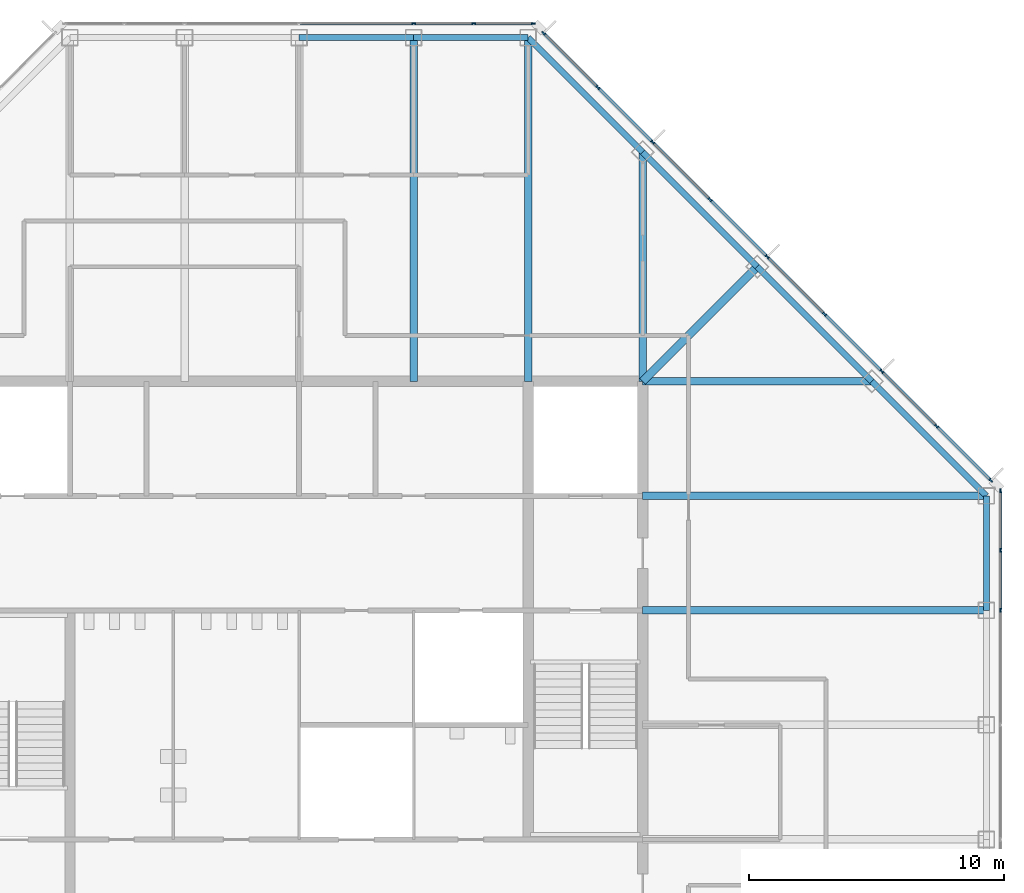
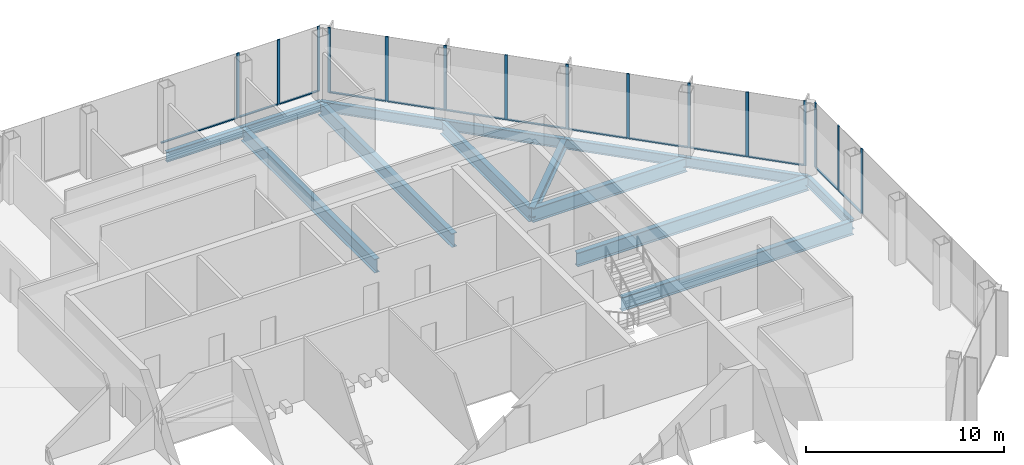
# One storey, part 7 of 14: 28 members, 14 beams, 3 elements without a shape of their own.
"""IFC4 building model written with IfcOpenShell, lengths in metres."""

import ifcopenshell
import ifcopenshell.guid

model = None  # the IFC model being written
_history = None  # IfcOwnerHistory: only IFC2X3 demands one
_inside = {}  # id of a spatial element -> (the spatial element, [elements in it])
_under = {}  # id of a project, library or spatial element -> (it, [spatial elements below it])
_declared = {}  # id of a project -> (the project, [libraries it declares])
_typed = {}  # id of a type object -> (the type object, [elements of that type])
_made_of = {}  # id of a material, layer set ... -> (it, [elements and type objects made of it])


def new_model(schema):
    """Start an empty IFC model of exactly this schema.

    Asked for "IFC4X3", IfcOpenShell would pick the latest addendum, in which some entities
    have other attributes; the version numbers below select the first issue.
    IFC2X3 requires an IfcOwnerHistory on every rooted entity: one is made here for all.
    """
    global model, _history
    if schema == "IFC4X3":
        model = ifcopenshell.file(schema_version=(4, 3, 0, 0))
    else:
        model = ifcopenshell.file(schema=schema)
    _inside.clear()
    _under.clear()
    _declared.clear()
    _typed.clear()
    _made_of.clear()
    _history = None
    if model.schema == "IFC2X3":
        org = make("IfcOrganization", Name="unknown")
        user = make(
            "IfcPersonAndOrganization",
            ThePerson=make("IfcPerson", FamilyName="unknown"),
            TheOrganization=org,
        )
        app = make(
            "IfcApplication",
            ApplicationDeveloper=org,
            Version="unknown",
            ApplicationFullName="unknown",
            ApplicationIdentifier="unknown",
        )
        _history = make(
            "IfcOwnerHistory",
            OwningUser=user,
            OwningApplication=app,
            ChangeAction="ADDED",
            CreationDate=0,
        )
    return model


def make(cls, **values):
    """One entity of the class cls with the attributes given. An attribute that is None is left unset."""
    return model.create_entity(
        cls, **{name: value for name, value in values.items() if value is not None}
    )


def rooted(cls, **values):
    """An entity with a GlobalId (a new one), such as an element, a storey or a relation."""
    return make(cls, GlobalId=ifcopenshell.guid.new(), OwnerHistory=_history, **values)


def si_unit(unit_type, name, prefix=None):
    """IfcSIUnit, for example si_unit("LENGTHUNIT", "METRE", prefix="MILLI")."""
    return make("IfcSIUnit", UnitType=unit_type, Prefix=prefix, Name=name)


def assignment(units):
    """IfcUnitAssignment: the units of a project."""
    return None if units is None else make("IfcUnitAssignment", Units=units)


def point(xyz):
    """IfcCartesianPoint."""
    return None if xyz is None else make("IfcCartesianPoint", Coordinates=xyz)


def direction(xyz):
    """IfcDirection."""
    return None if xyz is None else make("IfcDirection", DirectionRatios=xyz)


def frame(location, z_axis=None, x_axis=None):
    """IfcAxis2Placement3D, a coordinate frame: its origin and axes. An axis left out is left unset."""
    return make(
        "IfcAxis2Placement3D",
        Location=point(location),
        Axis=direction(z_axis),
        RefDirection=direction(x_axis),
    )


def frame_2d(location, x_axis=None):
    """IfcAxis2Placement2D, a coordinate frame in the plane: its origin and x axis."""
    return make(
        "IfcAxis2Placement2D", Location=point(location), RefDirection=direction(x_axis)
    )


def origin():
    """The frame at (0, 0, 0) with its axes left unset."""
    return frame((0.0, 0.0, 0.0))


def origin_2d():
    """The frame at (0, 0) in the plane with its x axis left unset."""
    return frame_2d((0.0, 0.0))


def place(relative_to, where):
    """IfcLocalPlacement: puts the frame where relative to a parent placement (None: the world)."""
    return make(
        "IfcLocalPlacement", PlacementRelTo=relative_to, RelativePlacement=where
    )


def context(
    kind, dimensions, precision=None, world=None, true_north=None, identifier=None
):
    """IfcGeometricRepresentationContext, for example the 3D "Model" context."""
    return make(
        "IfcGeometricRepresentationContext",
        ContextIdentifier=identifier,
        ContextType=kind,
        CoordinateSpaceDimension=dimensions,
        Precision=precision,
        WorldCoordinateSystem=world,
        TrueNorth=true_north,
    )


def subcontext(parent, identifier, kind, view, scale=None):
    """IfcGeometricRepresentationSubContext, for example "Body" below "Model"."""
    return make(
        "IfcGeometricRepresentationSubContext",
        ContextIdentifier=identifier,
        ContextType=kind,
        ParentContext=parent,
        TargetScale=scale,
        TargetView=view,
    )


def project(units=None, contexts=None):
    """IfcProject with its units and contexts."""
    return rooted(
        "IfcProject",
        Name="project",
        RepresentationContexts=contexts,
        UnitsInContext=assignment(units),
    )


def spatial(cls, under=None, at=None, **own):
    """A site, building, storey or space (cls), placed at a placement, below another one or the project."""
    s = rooted(cls, ObjectPlacement=at, **own)
    if under is not None:
        _under.setdefault(under.id(), (under, []))[1].append(s)
    return s


def profile(cls, at=None, kind="AREA", **sizes):
    """A parametric profile (cls). Its sizes go by their IFC names, for example OverallWidth=200.0."""
    return make(cls, ProfileType=kind, Position=at, **sizes)


def rectangle(**sizes):
    """IfcRectangleProfileDef."""
    return profile("IfcRectangleProfileDef", **sizes)


def i_section(**sizes):
    """IfcIShapeProfileDef."""
    return profile("IfcIShapeProfileDef", **sizes)


def extrude(swept, where, along, depth):
    """IfcExtrudedAreaSolid: the profile swept, set in the frame where, extruded along a direction by depth."""
    return make(
        "IfcExtrudedAreaSolid",
        SweptArea=swept,
        Position=where,
        ExtrudedDirection=direction(along),
        Depth=depth,
    )


def shape(context_of_items, identifier, shape_type, items):
    """IfcShapeRepresentation: the items that make up one representation, for example the "Body"."""
    return make(
        "IfcShapeRepresentation",
        ContextOfItems=context_of_items,
        RepresentationIdentifier=identifier,
        RepresentationType=shape_type,
        Items=items,
    )


def material(Name=None, Category=None):
    """IfcMaterial."""
    return make("IfcMaterial", Name=Name, Category=Category)


def material_profile(
    of_material, cross_section, Name=None, Category=None, Priority=None
):
    """IfcMaterialProfile: a cross section and its material."""
    return make(
        "IfcMaterialProfile",
        Name=Name,
        Material=of_material,
        Profile=cross_section,
        Priority=Priority,
        Category=Category,
    )


def profile_set(profiles, Name=None, composite=None):
    """IfcMaterialProfileSet."""
    return make(
        "IfcMaterialProfileSet",
        Name=Name,
        MaterialProfiles=profiles,
        CompositeProfile=composite,
    )


def made_of(thing, what):
    """Note that an element or type object is made of a material, layer set ...; save() writes the relation."""
    if what is not None:
        _made_of.setdefault(what.id(), (what, []))[1].append(thing)
    return thing


def type_object(cls, material=None, **own):
    """A type object (cls), such as IfcWallType, which elements share."""
    return made_of(rooted(cls, **own), material)


def element(
    cls,
    number,
    at=None,
    inside=None,
    cuts=None,
    type_object=None,
    material=None,
    context=None,
    identifier="Body",
    shape_type=None,
    held_by="IfcProductDefinitionShape",
    body=None,
    shapes=None,
    **own,
):
    """One element of the class cls, such as IfcWall. Its Tag is "e" and its number.

    at: its placement. inside: the storey or other place that contains it. cuts: it is an
    opening in that element (IfcRelVoidsElement). A single representation is given by context,
    identifier, shape_type and body (its items); several are given by shapes. held_by: the class
    of the entity that holds the representations. save() writes the other relations.
    """
    e = rooted(cls, Tag="e%d" % number, ObjectPlacement=at, **own)
    if body is not None:
        shapes = [shape(context, identifier, shape_type, body)]
    if shapes is not None:
        e.Representation = make(held_by, Representations=shapes)
    if inside is not None:
        _inside.setdefault(inside.id(), (inside, []))[1].append(e)
    if cuts is not None:
        rooted(
            "IfcRelVoidsElement", RelatingBuildingElement=cuts, RelatedOpeningElement=e
        )
    if type_object is not None:
        _typed.setdefault(type_object.id(), (type_object, []))[1].append(e)
    return made_of(e, material)


def aggregate(whole, parts):
    """IfcRelAggregates: a whole, such as a stair, and the parts it consists of."""
    return rooted("IfcRelAggregates", RelatingObject=whole, RelatedObjects=parts)


def save(model, path):
    """Write the relations noted so far, then the file.

    IfcRelAggregates (storeys below a building ...), IfcRelContainedInSpatialStructure (elements
    in a storey), IfcRelDefinesByType, IfcRelAssociatesMaterial and IfcRelDeclares: one each for
    every whole, place, type object, material and project.
    """
    for whole, parts in _under.values():
        aggregate(whole, parts)
    for where, things in _inside.values():
        rooted(
            "IfcRelContainedInSpatialStructure",
            RelatedElements=things,
            RelatingStructure=where,
        )
    for kind, things in _typed.values():
        rooted("IfcRelDefinesByType", RelatedObjects=things, RelatingType=kind)
    for what, things in _made_of.values():
        rooted("IfcRelAssociatesMaterial", RelatedObjects=things, RelatingMaterial=what)
    for by, libraries in _declared.values():
        rooted("IfcRelDeclares", RelatingContext=by, RelatedDefinitions=libraries)
    model.write(path)


model = new_model("IFC4")

# Units and contexts
model_context = context("Model", 3, precision=1e-05, world=origin(), true_north=direction((0.0, 1.0)))
body_context = subcontext(model_context, "Body", "Model", "MODEL_VIEW")
ifc_project = project(units=[si_unit("LENGTHUNIT", "METRE"), si_unit("AREAUNIT", "SQUARE_METRE"), si_unit("VOLUMEUNIT", "CUBIC_METRE"), si_unit("PLANEANGLEUNIT", "RADIAN"), si_unit("MASSUNIT", "GRAM", prefix="KILO")], contexts=[model_context])

# Site, building, storey
site_placement = place(None, origin())
site = spatial("IfcSite", under=ifc_project, at=site_placement, CompositionType="ELEMENT")
building_placement = place(site_placement, origin())
building = spatial("IfcBuilding", under=site, at=building_placement, Name="Corais Broadcast Tower", CompositionType="ELEMENT")
storey_placement = place(building_placement, frame((0.0, 0.0, 250.60009765625)))
storey = spatial("IfcBuildingStorey", under=building, at=storey_placement, Name="L58", CompositionType="ELEMENT", Elevation=250.60009765625)

# Beams
ifc_material_1 = material(Name="Steel ASTM A572 Grade 50", Category="steel")
ifc_material_profile_1 = material_profile(ifc_material_1, i_section(OverallWidth=0.323974609375, OverallDepth=0.611083984375, WebThickness=0.0126953125, FlangeThickness=0.01904296875, at=origin_2d()), Name="W610x155")
ifc_profile_set_1 = profile_set([ifc_material_profile_1], Name="Steel ASTM A572 Grade 50")
beam_type_1 = type_object("IfcBeamType", Name="Corner diagonal W610x155", PredefinedType="BEAM", material=ifc_profile_set_1)
beam_1_placement = place(storey_placement, frame((45.0, 45.0, -0.465576171875), z_axis=(-0.707106781187, -0.707106781187, 0.0), x_axis=(0.707106781187, -0.707106781187, 0.0)))
element("IfcBeam", 1, at=beam_1_placement, inside=storey, type_object=beam_type_1, Name="B6 L/13 to K/12", PredefinedType="BEAM", context=body_context, shape_type="SweptSolid", body=[
    extrude(i_section(OverallWidth=0.323974609375, OverallDepth=0.611083984375, WebThickness=0.0126953125, FlangeThickness=0.01904296875, at=origin_2d()), origin(), (0.0, 0.0, 1.0), 6.364013671875),
])
ifc_material_2 = material(Name="Steel ASTM A572 Grade 50", Category="steel")
ifc_material_profile_2 = material_profile(ifc_material_2, i_section(OverallWidth=0.2939453125, OverallDepth=0.85107421875, WebThickness=0.01611328125, FlangeThickness=0.02685546875, at=origin_2d()), Name="W840x226")
ifc_profile_set_2 = profile_set([ifc_material_profile_2], Name="Steel ASTM A572 Grade 50")
beam_type_2 = type_object("IfcBeamType", Name="Floor beam W840x226", PredefinedType="BEAM", material=ifc_profile_set_2)
for number, where, z_axis, x_axis, name in (
    (2, (31.5, 54.0, -0.585693359375), (0.0, -1.0, 0.0), (1.0, 0.0, 0.0), "B1 N/10 to K/10"),
    (3, (36.0, 54.0, -0.585693359375), (0.0, -1.0, 0.0), (1.0, 0.0, 0.0), "B1 N/11 to K/11"),
):
    element("IfcBeam", number, at=place(storey_placement, frame(where, z_axis=z_axis, x_axis=x_axis)), inside=storey, type_object=beam_type_2, Name=name, PredefinedType="BEAM", context=body_context, shape_type="SweptSolid", body=[
        extrude(i_section(OverallWidth=0.2939453125, OverallDepth=0.85107421875, WebThickness=0.01611328125, FlangeThickness=0.02685546875, at=origin_2d()), origin(), (0.0, 0.0, 1.0), 13.5),
    ])
for number, where, z_axis, x_axis, name in (
    (4, (40.5, 49.5, -0.585693359375), (0.0, -1.0, 0.0), (1.0, 0.0, 0.0), "B1 M/12 to K/12"),
    (5, (49.5, 40.5, -0.585693359375), (-1.0, 0.0, 0.0), (0.0, -1.0, 0.0), "B1 K/14 to K/12"),
):
    element("IfcBeam", number, at=place(storey_placement, frame(where, z_axis=z_axis, x_axis=x_axis)), inside=storey, type_object=beam_type_2, Name=name, PredefinedType="BEAM", context=body_context, shape_type="SweptSolid", body=[
        extrude(i_section(OverallWidth=0.2939453125, OverallDepth=0.85107421875, WebThickness=0.01611328125, FlangeThickness=0.02685546875, at=origin_2d()), origin(), (0.0, 0.0, 1.0), 9.0),
    ])
for number, where, z_axis, x_axis, name in (
    (6, (54.0, 31.5, -0.585693359375), (-1.0, 0.0, 0.0), (0.0, -1.0, 0.0), "B1 H/15 to H/12"),
    (7, (54.0, 36.0, -0.585693359375), (-1.0, 0.0, 0.0), (0.0, -1.0, 0.0), "B1 J/15 to J/12"),
):
    element("IfcBeam", number, at=place(storey_placement, frame(where, z_axis=z_axis, x_axis=x_axis)), inside=storey, type_object=beam_type_2, Name=name, PredefinedType="BEAM", context=body_context, shape_type="SweptSolid", body=[
        extrude(i_section(OverallWidth=0.2939453125, OverallDepth=0.85107421875, WebThickness=0.01611328125, FlangeThickness=0.02685546875, at=origin_2d()), origin(), (0.0, 0.0, 1.0), 13.5),
    ])

# Curtain wall, members
ifc_material_3 = material(Name="Aluminium and glass", Category="aluminium")
curtain_wall_type = type_object("IfcCurtainWallType", Name="Unitised fritted curtain wall CW3", PredefinedType="NOTDEFINED", material=ifc_material_3)
curtain_wall_1_placement = place(storey_placement, origin())
curtain_wall_1 = element("IfcCurtainWall", 8, at=curtain_wall_1_placement, inside=storey, type_object=curtain_wall_type, Name="CW3 curtain wall L58 4", PredefinedType="NOTDEFINED")
ifc_material_4 = material(Name="Aluminium 6063-T6", Category="aluminium")
ifc_material_profile_3 = material_profile(ifc_material_4, rectangle(XDim=0.06494140625, YDim=0.159912109375, at=origin_2d()), Name="Mullion CW3 65x160")
ifc_profile_set_3 = profile_set([ifc_material_profile_3], Name="Aluminium 6063-T6")
member_type_1 = type_object("IfcMemberType", Name="Mullion CW3 65x160", PredefinedType="MULLION", material=ifc_profile_set_3)
member_1_placement = place(storey_placement, frame((31.5, 54.550048828125, 0.0), z_axis=(0.0, 0.0, 1.0), x_axis=(0.0, 1.0, 0.0)))
member_1 = element("IfcMember", 9, at=member_1_placement, type_object=member_type_1, Name="CW3 mullion 5", PredefinedType="MULLION", context=body_context, shape_type="SweptSolid", body=[
    extrude(rectangle(XDim=0.06494140625, YDim=0.159912109375, at=origin_2d()), origin(), (0.0, 0.0, 1.0), 4.0),
])
member_2_placement = place(storey_placement, frame((33.864013671875, 54.550048828125, 0.0), z_axis=(0.0, 0.0, 1.0), x_axis=(0.0, 1.0, 0.0)))
member_2 = element("IfcMember", 10, at=member_2_placement, type_object=member_type_1, Name="CW3 mullion 6", PredefinedType="MULLION", context=body_context, shape_type="SweptSolid", body=[
    extrude(rectangle(XDim=0.06494140625, YDim=0.159912109375, at=origin_2d()), origin(), (0.0, 0.0, 1.0), 4.0),
])
member_3_placement = place(storey_placement, frame((36.1953125, 54.550048828125, 0.0), z_axis=(0.0, 0.0, 1.0), x_axis=(0.0, 1.0, 0.0)))
member_3 = element("IfcMember", 11, at=member_3_placement, type_object=member_type_1, Name="CW3 mullion 7", PredefinedType="MULLION", context=body_context, shape_type="SweptSolid", body=[
    extrude(rectangle(XDim=0.06494140625, YDim=0.159912109375, at=origin_2d()), origin(), (0.0, 0.0, 1.0), 4.0),
])

curtain_wall_2_placement = place(storey_placement, origin())
curtain_wall_2 = element("IfcCurtainWall", 12, at=curtain_wall_2_placement, inside=storey, type_object=curtain_wall_type, Name="CW3 curtain wall L58 5", PredefinedType="NOTDEFINED")
member_4_placement = place(storey_placement, frame((36.6044921875, 54.17333984375, 0.0), z_axis=(0.0, 0.0, 1.0), x_axis=(0.707106781187, 0.707106781187, 0.0)))
member_4 = element("IfcMember", 13, at=member_4_placement, type_object=member_type_1, Name="CW3 mullion 1", PredefinedType="MULLION", context=body_context, shape_type="SweptSolid", body=[
    extrude(rectangle(XDim=0.06494140625, YDim=0.159912109375, at=origin_2d()), origin(), (0.0, 0.0, 1.0), 4.0),
])
member_5_placement = place(storey_placement, frame((38.735107421875, 52.042724609375, 0.0), z_axis=(0.0, 0.0, 1.0), x_axis=(0.707106781187, 0.707106781187, 0.0)))
member_5 = element("IfcMember", 14, at=member_5_placement, type_object=member_type_1, Name="CW3 mullion 2", PredefinedType="MULLION", context=body_context, shape_type="SweptSolid", body=[
    extrude(rectangle(XDim=0.06494140625, YDim=0.159912109375, at=origin_2d()), origin(), (0.0, 0.0, 1.0), 4.0),
])
member_6_placement = place(storey_placement, frame((40.888916015625, 49.888916015625, 0.0), z_axis=(0.0, 0.0, 1.0), x_axis=(0.707106781187, 0.707106781187, 0.0)))
member_6 = element("IfcMember", 15, at=member_6_placement, type_object=member_type_1, Name="CW3 mullion 3", PredefinedType="MULLION", context=body_context, shape_type="SweptSolid", body=[
    extrude(rectangle(XDim=0.06494140625, YDim=0.159912109375, at=origin_2d()), origin(), (0.0, 0.0, 1.0), 4.0),
])
member_7_placement = place(storey_placement, frame((43.138916015625, 47.638916015625, 0.0), z_axis=(0.0, 0.0, 1.0), x_axis=(0.707106781187, 0.707106781187, 0.0)))
member_7 = element("IfcMember", 16, at=member_7_placement, type_object=member_type_1, Name="CW3 mullion 4", PredefinedType="MULLION", context=body_context, shape_type="SweptSolid", body=[
    extrude(rectangle(XDim=0.06494140625, YDim=0.159912109375, at=origin_2d()), origin(), (0.0, 0.0, 1.0), 4.0),
])
member_8_placement = place(storey_placement, frame((45.388916015625, 45.388916015625, 0.0), z_axis=(0.0, 0.0, 1.0), x_axis=(0.707106781187, 0.707106781187, 0.0)))
member_8 = element("IfcMember", 17, at=member_8_placement, type_object=member_type_1, Name="CW3 mullion 5", PredefinedType="MULLION", context=body_context, shape_type="SweptSolid", body=[
    extrude(rectangle(XDim=0.06494140625, YDim=0.159912109375, at=origin_2d()), origin(), (0.0, 0.0, 1.0), 4.0),
])
member_9_placement = place(storey_placement, frame((47.638916015625, 43.138916015625, 0.0), z_axis=(0.0, 0.0, 1.0), x_axis=(0.707106781187, 0.707106781187, 0.0)))
member_9 = element("IfcMember", 18, at=member_9_placement, type_object=member_type_1, Name="CW3 mullion 6", PredefinedType="MULLION", context=body_context, shape_type="SweptSolid", body=[
    extrude(rectangle(XDim=0.06494140625, YDim=0.159912109375, at=origin_2d()), origin(), (0.0, 0.0, 1.0), 4.0),
])
member_10_placement = place(storey_placement, frame((49.888916015625, 40.888916015625, 0.0), z_axis=(0.0, 0.0, 1.0), x_axis=(0.707106781187, 0.707106781187, 0.0)))
member_10 = element("IfcMember", 19, at=member_10_placement, type_object=member_type_1, Name="CW3 mullion 7", PredefinedType="MULLION", context=body_context, shape_type="SweptSolid", body=[
    extrude(rectangle(XDim=0.06494140625, YDim=0.159912109375, at=origin_2d()), origin(), (0.0, 0.0, 1.0), 4.0),
])
member_11_placement = place(storey_placement, frame((52.042724609375, 38.735107421875, 0.0), z_axis=(0.0, 0.0, 1.0), x_axis=(0.707106781187, 0.707106781187, 0.0)))
member_11 = element("IfcMember", 20, at=member_11_placement, type_object=member_type_1, Name="CW3 mullion 8", PredefinedType="MULLION", context=body_context, shape_type="SweptSolid", body=[
    extrude(rectangle(XDim=0.06494140625, YDim=0.159912109375, at=origin_2d()), origin(), (0.0, 0.0, 1.0), 4.0),
])
member_12_placement = place(storey_placement, frame((54.17333984375, 36.6044921875, 0.0), z_axis=(0.0, 0.0, 1.0), x_axis=(0.707106781187, 0.707106781187, 0.0)))
member_12 = element("IfcMember", 21, at=member_12_placement, type_object=member_type_1, Name="CW3 mullion 9", PredefinedType="MULLION", context=body_context, shape_type="SweptSolid", body=[
    extrude(rectangle(XDim=0.06494140625, YDim=0.159912109375, at=origin_2d()), origin(), (0.0, 0.0, 1.0), 4.0),
])

curtain_wall_3_placement = place(storey_placement, origin())
curtain_wall_3 = element("IfcCurtainWall", 22, at=curtain_wall_3_placement, inside=storey, type_object=curtain_wall_type, Name="CW3 curtain wall L58 6", PredefinedType="NOTDEFINED")
member_13_placement = place(storey_placement, frame((54.550048828125, 36.1953125, 0.0), z_axis=(0.0, 0.0, 1.0), x_axis=(1.0, 0.0, 0.0)))
member_13 = element("IfcMember", 23, at=member_13_placement, type_object=member_type_1, Name="CW3 mullion 1", PredefinedType="MULLION", context=body_context, shape_type="SweptSolid", body=[
    extrude(rectangle(XDim=0.06494140625, YDim=0.159912109375, at=origin_2d()), origin(), (0.0, 0.0, 1.0), 4.0),
])
member_14_placement = place(storey_placement, frame((54.550048828125, 33.864013671875, 0.0), z_axis=(0.0, 0.0, 1.0), x_axis=(1.0, 0.0, 0.0)))
member_14 = element("IfcMember", 24, at=member_14_placement, type_object=member_type_1, Name="CW3 mullion 2", PredefinedType="MULLION", context=body_context, shape_type="SweptSolid", body=[
    extrude(rectangle(XDim=0.06494140625, YDim=0.159912109375, at=origin_2d()), origin(), (0.0, 0.0, 1.0), 4.0),
])
member_15_placement = place(storey_placement, frame((54.550048828125, 31.5, 0.0), z_axis=(0.0, 0.0, 1.0), x_axis=(1.0, 0.0, 0.0)))
member_15 = element("IfcMember", 25, at=member_15_placement, type_object=member_type_1, Name="CW3 mullion 3", PredefinedType="MULLION", context=body_context, shape_type="SweptSolid", body=[
    extrude(rectangle(XDim=0.06494140625, YDim=0.159912109375, at=origin_2d()), origin(), (0.0, 0.0, 1.0), 4.0),
])

# Beams
ifc_material_5 = material(Name="Steel ASTM A572 Grade 50", Category="steel")
ifc_material_profile_4 = material_profile(ifc_material_5, i_section(OverallWidth=0.22998046875, OverallDepth=0.616943359375, WebThickness=0.01318359375, FlangeThickness=0.022216796875, at=origin_2d()), Name="W610x140")
ifc_profile_set_4 = profile_set([ifc_material_profile_4], Name="Steel ASTM A572 Grade 50")
beam_type_3 = type_object("IfcBeamType", Name="Spandrel W610x140", PredefinedType="BEAM", material=ifc_profile_set_4)
for number, where, z_axis, x_axis, name in (
    (26, (31.5, 54.0, -0.468505859375), (-1.0, 0.0, 0.0), (0.0, -1.0, 0.0), "SB3 N/10 to N/9"),
    (27, (36.0, 54.0, -0.468505859375), (-1.0, 0.0, 0.0), (0.0, -1.0, 0.0), "SB3 N/11 to N/10"),
):
    element("IfcBeam", number, at=place(storey_placement, frame(where, z_axis=z_axis, x_axis=x_axis)), inside=storey, type_object=beam_type_3, Name=name, PredefinedType="BEAM", context=body_context, shape_type="SweptSolid", body=[
        extrude(i_section(OverallWidth=0.22998046875, OverallDepth=0.616943359375, WebThickness=0.01318359375, FlangeThickness=0.022216796875, at=origin_2d()), origin(), (0.0, 0.0, 1.0), 4.5),
    ])
for number, where, z_axis, x_axis, name in (
    (28, (40.5, 49.5, -0.468505859375), (-0.707106781187, 0.707106781187, 0.0), (-0.707106781187, -0.707106781187, 0.0), "SB3 M/12 to N/11"),
    (29, (45.0, 45.0, -0.468505859375), (-0.707106781187, 0.707106781187, 0.0), (-0.707106781187, -0.707106781187, 0.0), "SB3 L/13 to M/12"),
    (30, (49.5, 40.5, -0.468505859375), (-0.707106781187, 0.707106781187, 0.0), (-0.707106781187, -0.707106781187, 0.0), "SB3 K/14 to L/13"),
):
    element("IfcBeam", number, at=place(storey_placement, frame(where, z_axis=z_axis, x_axis=x_axis)), inside=storey, type_object=beam_type_3, Name=name, PredefinedType="BEAM", context=body_context, shape_type="SweptSolid", body=[
        extrude(i_section(OverallWidth=0.22998046875, OverallDepth=0.616943359375, WebThickness=0.01318359375, FlangeThickness=0.022216796875, at=origin_2d()), origin(), (0.0, 0.0, 1.0), 6.364013671875),
    ])
beam_2_placement = place(storey_placement, frame((54.0, 31.5, -0.468505859375), z_axis=(0.0, 1.0, 0.0), x_axis=(-1.0, 0.0, 0.0)))
element("IfcBeam", 31, at=beam_2_placement, inside=storey, type_object=beam_type_3, Name="SB3 H/15 to J/15", PredefinedType="BEAM", context=body_context, shape_type="SweptSolid", body=[
    extrude(i_section(OverallWidth=0.22998046875, OverallDepth=0.616943359375, WebThickness=0.01318359375, FlangeThickness=0.022216796875, at=origin_2d()), origin(), (0.0, 0.0, 1.0), 4.5),
])
beam_3_placement = place(storey_placement, frame((54.0, 36.0, -0.468505859375), z_axis=(-0.707106781187, 0.707106781187, 0.0), x_axis=(-0.707106781187, -0.707106781187, 0.0)))
element("IfcBeam", 32, at=beam_3_placement, inside=storey, type_object=beam_type_3, Name="SB3 J/15 to K/14", PredefinedType="BEAM", context=body_context, shape_type="SweptSolid", body=[
    extrude(i_section(OverallWidth=0.22998046875, OverallDepth=0.616943359375, WebThickness=0.01318359375, FlangeThickness=0.022216796875, at=origin_2d()), origin(), (0.0, 0.0, 1.0), 6.364013671875),
])

# Member
ifc_material_6 = material(Name="Aluminium 6063-T6", Category="aluminium")
ifc_material_profile_5 = material_profile(ifc_material_6, rectangle(XDim=0.1201171875, YDim=0.06494140625, at=origin_2d()), Name="Transom CW3 65x120")
ifc_profile_set_5 = profile_set([ifc_material_profile_5], Name="Aluminium 6063-T6")
member_type_2 = type_object("IfcMemberType", Name="Transom CW3 65x120", PredefinedType="USERDEFINED", material=ifc_profile_set_5)
member_16_placement = place(storey_placement, frame((27.032470703125, 54.550048828125, 0.032470703125), z_axis=(1.0, 0.0, 0.0), x_axis=(0.0, 1.0, 0.0)))
member_16 = element("IfcMember", 33, at=member_16_placement, type_object=member_type_2, Name="CW3 transom 4.1", ObjectType="TRANSOM", PredefinedType="USERDEFINED", context=body_context, shape_type="SweptSolid", body=[
    extrude(rectangle(XDim=0.1201171875, YDim=0.06494140625, at=origin_2d()), origin(), (0.0, 0.0, 1.0), 4.43505859375),
])

member_17_placement = place(storey_placement, frame((31.532470703125, 54.550048828125, 0.032470703125), z_axis=(1.0, 0.0, 0.0), x_axis=(0.0, 1.0, 0.0)))
member_17 = element("IfcMember", 34, at=member_17_placement, type_object=member_type_2, Name="CW3 transom 5.1", ObjectType="TRANSOM", PredefinedType="USERDEFINED", context=body_context, shape_type="SweptSolid", body=[
    extrude(rectangle(XDim=0.1201171875, YDim=0.06494140625, at=origin_2d()), origin(), (0.0, 0.0, 1.0), 2.298828125),
])

member_18_placement = place(storey_placement, frame((33.896484375, 54.550048828125, 0.032470703125), z_axis=(1.0, 0.0, 0.0), x_axis=(0.0, 1.0, 0.0)))
member_18 = element("IfcMember", 35, at=member_18_placement, type_object=member_type_2, Name="CW3 transom 6.1", ObjectType="TRANSOM", PredefinedType="USERDEFINED", context=body_context, shape_type="SweptSolid", body=[
    extrude(rectangle(XDim=0.1201171875, YDim=0.06494140625, at=origin_2d()), origin(), (0.0, 0.0, 1.0), 2.266357421875),
])

aggregate(curtain_wall_1, [member_1, member_2, member_3, member_16, member_17, member_18])

member_19_placement = place(storey_placement, frame((36.62744140625, 54.150390625, 0.032470703125), z_axis=(0.707106781187, -0.707106781187, 0.0), x_axis=(0.707106781187, 0.707106781187, 0.0)))
member_19 = element("IfcMember", 36, at=member_19_placement, type_object=member_type_2, Name="CW3 transom 1.1", ObjectType="TRANSOM", PredefinedType="USERDEFINED", context=body_context, shape_type="SweptSolid", body=[
    extrude(rectangle(XDim=0.1201171875, YDim=0.06494140625, at=origin_2d()), origin(), (0.0, 0.0, 1.0), 2.9482421875),
])

member_20_placement = place(storey_placement, frame((38.758056640625, 52.019775390625, 0.032470703125), z_axis=(0.707106781187, -0.707106781187, 0.0), x_axis=(0.707106781187, 0.707106781187, 0.0)))
member_20 = element("IfcMember", 37, at=member_20_placement, type_object=member_type_2, Name="CW3 transom 2.1", ObjectType="TRANSOM", PredefinedType="USERDEFINED", context=body_context, shape_type="SweptSolid", body=[
    extrude(rectangle(XDim=0.1201171875, YDim=0.06494140625, at=origin_2d()), origin(), (0.0, 0.0, 1.0), 2.98095703125),
])

member_21_placement = place(storey_placement, frame((40.911865234375, 49.865966796875, 0.032470703125), z_axis=(0.707106781187, -0.707106781187, 0.0), x_axis=(0.707106781187, 0.707106781187, 0.0)))
member_21 = element("IfcMember", 38, at=member_21_placement, type_object=member_type_2, Name="CW3 transom 3.1", ObjectType="TRANSOM", PredefinedType="USERDEFINED", context=body_context, shape_type="SweptSolid", body=[
    extrude(rectangle(XDim=0.1201171875, YDim=0.06494140625, at=origin_2d()), origin(), (0.0, 0.0, 1.0), 3.1171875),
])

member_22_placement = place(storey_placement, frame((43.161865234375, 47.615966796875, 0.032470703125), z_axis=(0.707106781187, -0.707106781187, 0.0), x_axis=(0.707106781187, 0.707106781187, 0.0)))
member_22 = element("IfcMember", 39, at=member_22_placement, type_object=member_type_2, Name="CW3 transom 4.1", ObjectType="TRANSOM", PredefinedType="USERDEFINED", context=body_context, shape_type="SweptSolid", body=[
    extrude(rectangle(XDim=0.1201171875, YDim=0.06494140625, at=origin_2d()), origin(), (0.0, 0.0, 1.0), 3.1171875),
])

member_23_placement = place(storey_placement, frame((45.411865234375, 45.365966796875, 0.032470703125), z_axis=(0.707106781187, -0.707106781187, 0.0), x_axis=(0.707106781187, 0.707106781187, 0.0)))
member_23 = element("IfcMember", 40, at=member_23_placement, type_object=member_type_2, Name="CW3 transom 5.1", ObjectType="TRANSOM", PredefinedType="USERDEFINED", context=body_context, shape_type="SweptSolid", body=[
    extrude(rectangle(XDim=0.1201171875, YDim=0.06494140625, at=origin_2d()), origin(), (0.0, 0.0, 1.0), 3.1171875),
])

member_24_placement = place(storey_placement, frame((47.661865234375, 43.115966796875, 0.032470703125), z_axis=(0.707106781187, -0.707106781187, 0.0), x_axis=(0.707106781187, 0.707106781187, 0.0)))
member_24 = element("IfcMember", 41, at=member_24_placement, type_object=member_type_2, Name="CW3 transom 6.1", ObjectType="TRANSOM", PredefinedType="USERDEFINED", context=body_context, shape_type="SweptSolid", body=[
    extrude(rectangle(XDim=0.1201171875, YDim=0.06494140625, at=origin_2d()), origin(), (0.0, 0.0, 1.0), 3.1171875),
])

member_25_placement = place(storey_placement, frame((49.911865234375, 40.865966796875, 0.032470703125), z_axis=(0.707065828661, -0.70714773134, 0.0), x_axis=(0.70714773134, 0.707065828661, 0.0)))
member_25 = element("IfcMember", 42, at=member_25_placement, type_object=member_type_2, Name="CW3 transom 7.1", ObjectType="TRANSOM", PredefinedType="USERDEFINED", context=body_context, shape_type="SweptSolid", body=[
    extrude(rectangle(XDim=0.1201171875, YDim=0.06494140625, at=origin_2d()), origin(), (0.0, 0.0, 1.0), 2.98095703125),
])

member_26_placement = place(storey_placement, frame((52.065673828125, 38.712158203125, 0.032470703125), z_axis=(0.707106781187, -0.707106781187, 0.0), x_axis=(0.707106781187, 0.707106781187, 0.0)))
member_26 = element("IfcMember", 43, at=member_26_placement, type_object=member_type_2, Name="CW3 transom 8.1", ObjectType="TRANSOM", PredefinedType="USERDEFINED", context=body_context, shape_type="SweptSolid", body=[
    extrude(rectangle(XDim=0.1201171875, YDim=0.06494140625, at=origin_2d()), origin(), (0.0, 0.0, 1.0), 2.9482421875),
])

aggregate(curtain_wall_2, [member_4, member_5, member_6, member_7, member_8, member_9, member_10, member_11, member_12, member_19, member_20, member_21, member_22, member_23, member_24, member_25, member_26])

member_27_placement = place(storey_placement, frame((54.550048828125, 36.162841796875, 0.032470703125), z_axis=(0.0, -1.0, 0.0), x_axis=(1.0, 0.0, 0.0)))
member_27 = element("IfcMember", 44, at=member_27_placement, type_object=member_type_2, Name="CW3 transom 1.1", ObjectType="TRANSOM", PredefinedType="USERDEFINED", context=body_context, shape_type="SweptSolid", body=[
    extrude(rectangle(XDim=0.1201171875, YDim=0.06494140625, at=origin_2d()), origin(), (0.0, 0.0, 1.0), 2.266357421875),
])

member_28_placement = place(storey_placement, frame((54.550048828125, 33.831298828125, 0.032470703125), z_axis=(0.0, -1.0, 0.0), x_axis=(1.0, 0.0, 0.0)))
member_28 = element("IfcMember", 45, at=member_28_placement, type_object=member_type_2, Name="CW3 transom 2.1", ObjectType="TRANSOM", PredefinedType="USERDEFINED", context=body_context, shape_type="SweptSolid", body=[
    extrude(rectangle(XDim=0.1201171875, YDim=0.06494140625, at=origin_2d()), origin(), (0.0, 0.0, 1.0), 2.298828125),
])

aggregate(curtain_wall_3, [member_13, member_14, member_15, member_27, member_28])

save(model, "model.ifc")
